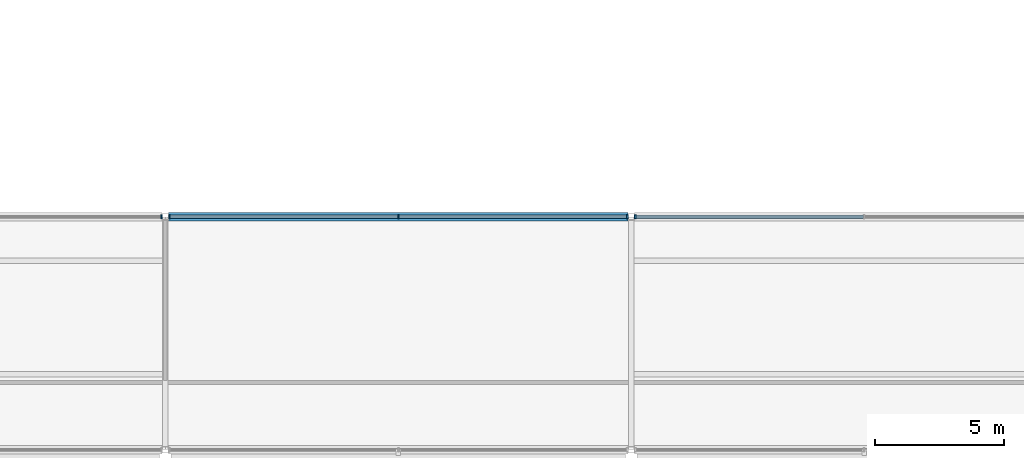
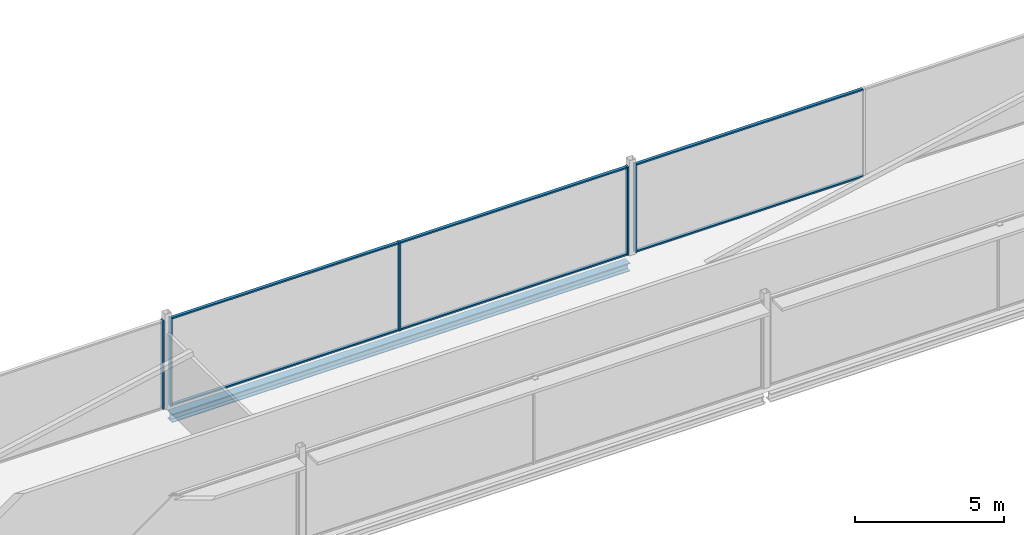
# One storey, part 26 of 98: 11 members, 1 beam, 3 elements without a shape of their own.
"""IFC4 building model written with IfcOpenShell, lengths in metres."""

from ifc_helpers import new_model, si_unit, direction, frame, origin, origin_2d, place, context, subcontext, project, spatial, rectangle, i_section, extrude, material, layer, layer_set, material_profile, profile_set, type_object, element, aggregate, save


model = new_model("IFC4")

# Units and contexts
model_context = context("Model", 3, precision=1e-05, world=origin(), true_north=direction((0.0, 1.0)))
body_context = subcontext(model_context, "Body", "Model", "MODEL_VIEW")
ifc_project = project(units=[si_unit("LENGTHUNIT", "METRE"), si_unit("AREAUNIT", "SQUARE_METRE"), si_unit("VOLUMEUNIT", "CUBIC_METRE"), si_unit("PLANEANGLEUNIT", "RADIAN"), si_unit("MASSUNIT", "GRAM", prefix="KILO")], contexts=[model_context])

# Site, building, storey
site_placement = place(None, origin())
site = spatial("IfcSite", under=ifc_project, at=site_placement, CompositionType="ELEMENT")
building_placement = place(site_placement, origin())
building = spatial("IfcBuilding", under=site, at=building_placement, Name="Kisiwana Market Hall", CompositionType="ELEMENT")
storey_placement = place(building_placement, frame((0.0, 0.0, 29.39990234375)))
storey = spatial("IfcBuildingStorey", under=building, at=storey_placement, Name="L06", CompositionType="ELEMENT", Elevation=29.39990234375)

# Beam
ifc_material_1 = material(Name="Steel S355", Category="steel")
ifc_material_profile_1 = material_profile(ifc_material_1, i_section(OverallWidth=0.314453125, OverallDepth=0.33984375, WebThickness=0.01904296875, FlangeThickness=0.031494140625, at=origin_2d()), Name="UC 305x305x198")
ifc_profile_set_1 = profile_set([ifc_material_profile_1], Name="Steel S355")
beam_type = type_object("IfcBeamType", Name="BM-SKYBR-CHORD", PredefinedType="BEAM", material=ifc_profile_set_1)
beam_placement = place(storey_placement, frame((99.12109375, 27.0, -0.434814453125), z_axis=(1.0, 0.0, 0.0), x_axis=(0.0, 1.0, 0.0)))
element("IfcBeam", 1, at=beam_placement, inside=storey, type_object=beam_type, Name="Floor beam B-1800", PredefinedType="BEAM", context=body_context, shape_type="SweptSolid", body=[
    extrude(i_section(OverallWidth=0.314453125, OverallDepth=0.33984375, WebThickness=0.01904296875, FlangeThickness=0.031494140625, at=origin_2d()), origin(), (0.0, 0.0, 1.0), 17.7578125),
])

# Curtain wall, member
ifc_material_2 = material(Name="Double-glazed solar-control low-E IGU", Category="glass")
ifc_layer = layer(ifc_material_2, 0.159912109375)
ifc_layer_set = layer_set([ifc_layer], Name="CW-ZNA-EW-8200")
curtain_wall_type = type_object("IfcCurtainWallType", Name="CW-ZNA-EW-8200", PredefinedType="USERDEFINED", material=ifc_layer_set)
curtain_wall_1_placement = place(storey_placement, origin())
curtain_wall_1 = element("IfcCurtainWall", 2, at=curtain_wall_1_placement, inside=storey, type_object=curtain_wall_type, Name="Unitised curtain wall CW-180 (L06)", ObjectType="UNITISED CURTAIN WALL", PredefinedType="USERDEFINED")
ifc_material_3 = material(Name="Aluminium alloy 6063-T6", Category="aluminium")
ifc_material_profile_2 = material_profile(ifc_material_3, rectangle(XDim=0.06005859375, YDim=0.159912109375, at=origin_2d()), Name="ALU MULLION 60x160")
ifc_profile_set_2 = profile_set([ifc_material_profile_2], Name="Aluminium alloy 6063-T6")
member_type_1 = type_object("IfcMemberType", Name="CW-MULL-60x160", PredefinedType="MULLION", material=ifc_profile_set_2)
member_1_placement = place(storey_placement, frame((98.844970703125, 27.0, 0.0), z_axis=(0.0, 0.0, 1.0), x_axis=(1.0, 0.0, 0.0)))
member_1 = element("IfcMember", 3, at=member_1_placement, type_object=member_type_1, Name="CW-180 mullion 3", PredefinedType="MULLION", context=body_context, shape_type="SweptSolid", body=[
    extrude(rectangle(XDim=0.06005859375, YDim=0.159912109375, at=origin_2d()), origin(), (0.0, 0.0, 1.0), 3.6201171875),
])
aggregate(curtain_wall_1, [member_1])

# Curtain wall, members
curtain_wall_2_placement = place(storey_placement, origin())
curtain_wall_2 = element("IfcCurtainWall", 4, at=curtain_wall_2_placement, inside=storey, type_object=curtain_wall_type, Name="Unitised curtain wall CW-181 (L06)", ObjectType="UNITISED CURTAIN WALL", PredefinedType="USERDEFINED")
member_2_placement = place(storey_placement, frame((99.155029296875, 27.0, 0.0), z_axis=(0.0, 0.0, 1.0), x_axis=(1.0, 0.0, 0.0)))
member_2 = element("IfcMember", 5, at=member_2_placement, type_object=member_type_1, Name="CW-181 mullion 1", PredefinedType="MULLION", context=body_context, shape_type="SweptSolid", body=[
    extrude(rectangle(XDim=0.06005859375, YDim=0.159912109375, at=origin_2d()), origin(), (0.0, 0.0, 1.0), 3.6201171875),
])
member_3_placement = place(storey_placement, frame((108.0, 27.0, 0.0), z_axis=(0.0, 0.0, 1.0), x_axis=(1.0, 0.0, 0.0)))
member_3 = element("IfcMember", 6, at=member_3_placement, type_object=member_type_1, Name="CW-181 mullion 2", PredefinedType="MULLION", context=body_context, shape_type="SweptSolid", body=[
    extrude(rectangle(XDim=0.06005859375, YDim=0.159912109375, at=origin_2d()), origin(), (0.0, 0.0, 1.0), 3.6201171875),
])
member_4_placement = place(storey_placement, frame((116.844970703125, 27.0, 0.0), z_axis=(0.0, 0.0, 1.0), x_axis=(1.0, 0.0, 0.0)))
member_4 = element("IfcMember", 7, at=member_4_placement, type_object=member_type_1, Name="CW-181 mullion 3", PredefinedType="MULLION", context=body_context, shape_type="SweptSolid", body=[
    extrude(rectangle(XDim=0.06005859375, YDim=0.159912109375, at=origin_2d()), origin(), (0.0, 0.0, 1.0), 3.6201171875),
])

# Curtain wall, member
curtain_wall_3_placement = place(storey_placement, origin())
curtain_wall_3 = element("IfcCurtainWall", 8, at=curtain_wall_3_placement, inside=storey, type_object=curtain_wall_type, Name="Unitised curtain wall CW-182 (L06)", ObjectType="UNITISED CURTAIN WALL", PredefinedType="USERDEFINED")
member_5_placement = place(storey_placement, frame((117.155029296875, 27.0, 0.0), z_axis=(0.0, 0.0, 1.0), x_axis=(1.0, 0.0, 0.0)))
member_5 = element("IfcMember", 9, at=member_5_placement, type_object=member_type_1, Name="CW-182 mullion 1", PredefinedType="MULLION", context=body_context, shape_type="SweptSolid", body=[
    extrude(rectangle(XDim=0.06005859375, YDim=0.159912109375, at=origin_2d()), origin(), (0.0, 0.0, 1.0), 3.6201171875),
])

# Member
ifc_material_4 = material(Name="Aluminium alloy 6063-T6", Category="aluminium")
ifc_material_profile_3 = material_profile(ifc_material_4, rectangle(XDim=0.1201171875, YDim=0.06005859375, at=origin_2d()), Name="ALU TRANSOM 60x120")
ifc_profile_set_3 = profile_set([ifc_material_profile_3], Name="Aluminium alloy 6063-T6")
member_type_2 = type_object("IfcMemberType", Name="CW-TRAN-60x120", PredefinedType="USERDEFINED", material=ifc_profile_set_3)
member_6_placement = place(storey_placement, frame((99.18505859375, 27.0, 0.030029296875), z_axis=(1.0, 0.0, 0.0), x_axis=(0.0, 1.0, 0.0)))
member_6 = element("IfcMember", 10, at=member_6_placement, type_object=member_type_2, Name="CW-181 transom 1.1", ObjectType="TRANSOM", PredefinedType="USERDEFINED", context=body_context, shape_type="SweptSolid", body=[
    extrude(rectangle(XDim=0.1201171875, YDim=0.06005859375, at=origin_2d()), origin(), (0.0, 0.0, 1.0), 8.784912109375),
])

member_7_placement = place(storey_placement, frame((99.18505859375, 27.0, 3.590087890625), z_axis=(1.0, 0.0, 0.0), x_axis=(0.0, 1.0, 0.0)))
member_7 = element("IfcMember", 11, at=member_7_placement, type_object=member_type_2, Name="CW-181 transom 1.2", ObjectType="TRANSOM", PredefinedType="USERDEFINED", context=body_context, shape_type="SweptSolid", body=[
    extrude(rectangle(XDim=0.1201171875, YDim=0.06005859375, at=origin_2d()), origin(), (0.0, 0.0, 1.0), 8.784912109375),
])

member_8_placement = place(storey_placement, frame((108.030029296875, 27.0, 0.030029296875), z_axis=(1.0, 0.0, 0.0), x_axis=(0.0, 1.0, 0.0)))
member_8 = element("IfcMember", 12, at=member_8_placement, type_object=member_type_2, Name="CW-181 transom 2.1", ObjectType="TRANSOM", PredefinedType="USERDEFINED", context=body_context, shape_type="SweptSolid", body=[
    extrude(rectangle(XDim=0.1201171875, YDim=0.06005859375, at=origin_2d()), origin(), (0.0, 0.0, 1.0), 8.784912109375),
])

member_9_placement = place(storey_placement, frame((108.030029296875, 27.0, 3.590087890625), z_axis=(1.0, 0.0, 0.0), x_axis=(0.0, 1.0, 0.0)))
member_9 = element("IfcMember", 13, at=member_9_placement, type_object=member_type_2, Name="CW-181 transom 2.2", ObjectType="TRANSOM", PredefinedType="USERDEFINED", context=body_context, shape_type="SweptSolid", body=[
    extrude(rectangle(XDim=0.1201171875, YDim=0.06005859375, at=origin_2d()), origin(), (0.0, 0.0, 1.0), 8.784912109375),
])

aggregate(curtain_wall_2, [member_2, member_3, member_4, member_6, member_7, member_8, member_9])

member_10_placement = place(storey_placement, frame((117.18505859375, 27.0, 0.030029296875), z_axis=(1.0, 0.0, 0.0), x_axis=(0.0, 1.0, 0.0)))
member_10 = element("IfcMember", 14, at=member_10_placement, type_object=member_type_2, Name="CW-182 transom 1.1", ObjectType="TRANSOM", PredefinedType="USERDEFINED", context=body_context, shape_type="SweptSolid", body=[
    extrude(rectangle(XDim=0.1201171875, YDim=0.06005859375, at=origin_2d()), origin(), (0.0, 0.0, 1.0), 8.784912109375),
])

member_11_placement = place(storey_placement, frame((117.18505859375, 27.0, 3.590087890625), z_axis=(1.0, 0.0, 0.0), x_axis=(0.0, 1.0, 0.0)))
member_11 = element("IfcMember", 15, at=member_11_placement, type_object=member_type_2, Name="CW-182 transom 1.2", ObjectType="TRANSOM", PredefinedType="USERDEFINED", context=body_context, shape_type="SweptSolid", body=[
    extrude(rectangle(XDim=0.1201171875, YDim=0.06005859375, at=origin_2d()), origin(), (0.0, 0.0, 1.0), 8.784912109375),
])

aggregate(curtain_wall_3, [member_5, member_10, member_11])

save(model, "model.ifc")
